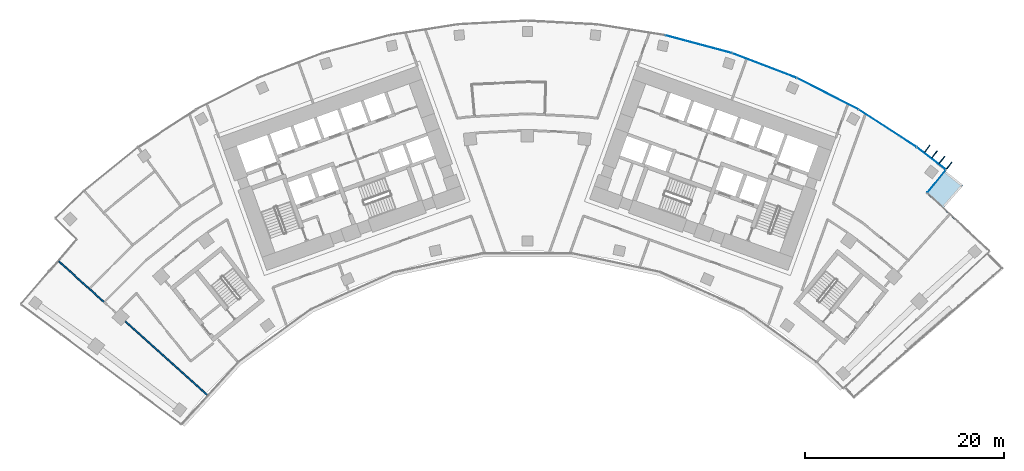
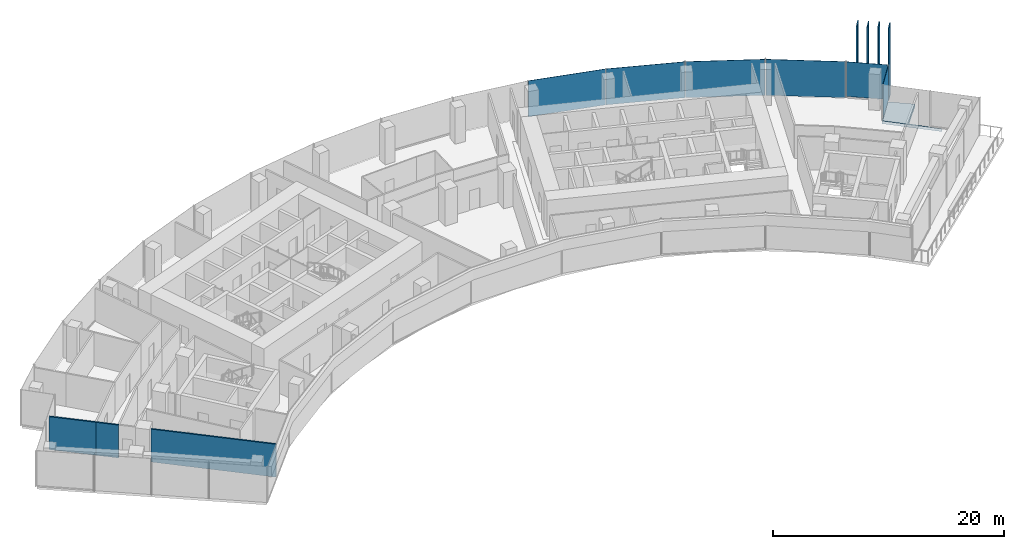
# One storey, part 12 of 20: 10 plates, 3 walls, 1 slab, 2 elements without a shape of their own.
"""IFC4 building model written with IfcOpenShell, lengths in metres."""

from ifc_helpers import new_model, si_unit, direction, frame, frame_2d, origin, origin_2d, place, context, subcontext, project, spatial, polyline, rectangle, outline, extrude, material, layer, layer_set, type_object, element, aggregate, save


model = new_model("IFC4")

# Units and contexts
model_context = context("Model", 3, precision=1e-05, world=origin(), true_north=direction((0.0, 1.0)))
body_context = subcontext(model_context, "Body", "Model", "MODEL_VIEW")
ifc_project = project(units=[si_unit("LENGTHUNIT", "METRE"), si_unit("AREAUNIT", "SQUARE_METRE"), si_unit("VOLUMEUNIT", "CUBIC_METRE"), si_unit("PLANEANGLEUNIT", "RADIAN"), si_unit("MASSUNIT", "GRAM", prefix="KILO")], contexts=[model_context])

# Site, building, storey
site_placement = place(None, origin())
site = spatial("IfcSite", under=ifc_project, at=site_placement, CompositionType="ELEMENT")
building_placement = place(site_placement, origin())
building = spatial("IfcBuilding", under=site, at=building_placement, Name="Stone Belt Terrace Tower", CompositionType="ELEMENT")
storey_placement = place(building_placement, frame((0.0, 0.0, 182.0)))
storey = spatial("IfcBuildingStorey", under=building, at=storey_placement, Name="L44", CompositionType="ELEMENT", Elevation=182.0)

# Curtain wall, plates
ifc_material_1 = material(Name="Aluminium 6063-T6 anodised frame", Category="aluminium")
ifc_layer_1 = layer(ifc_material_1, 0.14990234375)
ifc_layer_set_1 = layer_set([ifc_layer_1], Name="CW-A unitised convex-face curtain wall")
curtain_wall_type_1 = type_object("IfcCurtainWallType", Name="CW-A unitised convex-face curtain wall", PredefinedType="NOTDEFINED", material=ifc_layer_set_1)
curtain_wall_1_placement = place(storey_placement, origin())
curtain_wall_1 = element("IfcCurtainWall", 1, at=curtain_wall_1_placement, inside=storey, type_object=curtain_wall_type_1, Name="CW-A convex face L44", PredefinedType="NOTDEFINED")
ifc_material_2 = material(Name="Clear double glazed unit")
ifc_layer_2 = layer(ifc_material_2, 0.031982421875)
ifc_layer_set_2 = layer_set([ifc_layer_2], Name="CW-A glass panel 32")
plate_type_1 = type_object("IfcPlateType", Name="CW-A glass panel 32", PredefinedType="CURTAIN_PANEL", material=ifc_layer_set_2)
plate_1_placement = place(storey_placement, frame((40.583251953125, 52.744140625, 0.14013671875), z_axis=(0.0, 0.0, 1.0), x_axis=(-0.792693871824, 0.60961990254, 0.0)))
plate_1 = element("IfcPlate", 2, at=plate_1_placement, type_object=plate_type_1, Name="CW-A panel 1.1", PredefinedType="CURTAIN_PANEL", context=body_context, shape_type="SweptSolid", body=[
    extrude(rectangle(XDim=3.597900390625, YDim=0.031982421875, at=origin_2d()), origin(), (0.0, 0.0, 1.0), 3.659912109375),
])
plate_2_placement = place(storey_placement, frame((36.209716796875, 55.758056640625, 0.0), z_axis=(0.0, 0.0, 1.0), x_axis=(-0.838670567945, 0.544639035015, 0.0)))
plate_2 = element("IfcPlate", 3, at=plate_2_placement, type_object=plate_type_1, Name="CW-A panel 2.1", PredefinedType="CURTAIN_PANEL", context=body_context, shape_type="SweptSolid", body=[
    extrude(rectangle(XDim=6.900634765625, YDim=0.031982421875, at=origin_2d()), origin(), (0.0, 0.0, 1.0), 3.800048828125),
])
plate_3_placement = place(storey_placement, frame((30.18310546875, 59.237548828125, 0.0), z_axis=(0.0, 0.0, 1.0), x_axis=(-0.891006524188, 0.45399049974, 0.0)))
plate_3 = element("IfcPlate", 4, at=plate_3_placement, type_object=plate_type_1, Name="CW-A panel 3.1", PredefinedType="CURTAIN_PANEL", context=body_context, shape_type="SweptSolid", body=[
    extrude(rectangle(XDim=6.90087890625, YDim=0.031982421875, at=origin_2d()), origin(), (0.0, 0.0, 1.0), 3.800048828125),
])
plate_4_placement = place(storey_placement, frame((23.82568359375, 62.068115234375, 0.0), z_axis=(0.0, 0.0, 1.0), x_axis=(-0.933580426497, 0.358367949545, 0.0)))
plate_4 = element("IfcPlate", 5, at=plate_4_placement, type_object=plate_type_1, Name="CW-A panel 4.1", PredefinedType="CURTAIN_PANEL", context=body_context, shape_type="SweptSolid", body=[
    extrude(rectangle(XDim=6.90087890625, YDim=0.031982421875, at=origin_2d()), origin(), (0.0, 0.0, 1.0), 3.800048828125),
])
plate_5_placement = place(storey_placement, frame((17.207275390625, 64.218505859375, 0.0), z_axis=(0.0, 0.0, 1.0), x_axis=(-0.965925826289, 0.258819045103, 0.0)))
plate_5 = element("IfcPlate", 6, at=plate_5_placement, type_object=plate_type_1, Name="CW-A panel 5.1", PredefinedType="CURTAIN_PANEL", context=body_context, shape_type="SweptSolid", body=[
    extrude(rectangle(XDim=6.90087890625, YDim=0.031982421875, at=origin_2d()), origin(), (0.0, 0.0, 1.0), 3.800048828125),
])
aggregate(curtain_wall_1, [plate_1, plate_2, plate_3, plate_4, plate_5])

# Curtain wall, plate
ifc_layer_3 = layer(ifc_material_1, 0.14990234375)
ifc_layer_set_3 = layer_set([ifc_layer_3], Name="CW-C stick curtain wall, horn ends and notches")
curtain_wall_type_2 = type_object("IfcCurtainWallType", Name="CW-C stick curtain wall, horn ends and notches", PredefinedType="NOTDEFINED", material=ifc_layer_set_3)
curtain_wall_2_placement = place(storey_placement, origin())
curtain_wall_2 = element("IfcCurtainWall", 7, at=curtain_wall_2_placement, inside=storey, type_object=curtain_wall_type_2, Name="CW-C notch face L44", PredefinedType="NOTDEFINED")
ifc_layer_4 = layer(ifc_material_2, 0.028076171875)
ifc_layer_set_4 = layer_set([ifc_layer_4], Name="CW-C glass panel 28")
plate_type_2 = type_object("IfcPlateType", Name="CW-C glass panel 28", PredefinedType="CURTAIN_PANEL", material=ifc_layer_set_4)
plate_6_placement = place(storey_placement, frame((41.119140625, 50.43505859375, 0.1201171875), z_axis=(0.0, 0.0, 1.0), x_axis=(0.631001485542, 0.775781622136, 0.0)))
plate_6 = element("IfcPlate", 8, at=plate_6_placement, type_object=plate_type_2, Name="CW-C panel 1.1", PredefinedType="CURTAIN_PANEL", context=body_context, shape_type="SweptSolid", body=[
    extrude(rectangle(XDim=2.859130859375, YDim=0.028076171875, at=origin_2d()), origin(), (0.0, 0.0, 1.0), 3.679931640625),
])
aggregate(curtain_wall_2, [plate_6])

# Slab
ifc_material_3 = material(Name="Concrete B40", Category="concrete")
ifc_layer_5 = layer(ifc_material_3, 0.300048828125)
ifc_layer_set_5 = layer_set([ifc_layer_5], Name="Terrace slab 300 B40")
slab_type = type_object("IfcSlabType", Name="Terrace slab 300 B40", PredefinedType="FLOOR", material=ifc_layer_set_5)
slab_placement = place(storey_placement, frame((0.0, 0.0, -0.300048828125)))
element("IfcSlab", 9, at=slab_placement, inside=storey, type_object=slab_type, Name="Terrace slab L44-notch_roof-2", PredefinedType="FLOOR", context=body_context, shape_type="SweptSolid", body=[
    extrude(outline(polyline([(41.8330078125, 47.772705078125), (43.809326171875, 50.02978515625), (41.919921875, 51.538330078125), (40.068603515625, 49.26220703125), (43.97802734375, 45.6162109375), (43.980712890625, 45.618896484375), (41.8330078125, 47.772705078125)])), origin(), (0.0, 0.0, 1.0), 0.300048828125),
])

# Plates
ifc_material_4 = material(Name="Terracotta coloured glazed ceramic", Category="masonry")
ifc_layer_6 = layer(ifc_material_4, 0.10009765625)
ifc_layer_set_6 = layer_set([ifc_layer_6], Name="Terracotta fin 100 x 900")
plate_type_3 = type_object("IfcPlateType", Name="Terracotta fin 100 x 900", PredefinedType="SHEET", material=ifc_layer_set_6)
for number, where, z_axis, x_axis, name in (
    (10, (42.388427734375, 52.01806640625, 0.0), (0.0, 0.0, 1.0), (0.60961990254, 0.792693871824, 0.0), "FIN L44 1.1"),
    (11, (41.654052734375, 52.582763671875, 0.0), (0.0, 0.0, 1.0), (0.60961990254, 0.792693871824, 0.0), "FIN L44 1.2"),
    (12, (40.919677734375, 53.147705078125, 0.0), (0.0, 0.0, 1.0), (0.60961990254, 0.792693871824, 0.0), "FIN L44 1.3"),
    (13, (40.185546875, 53.71240234375, 0.0), (0.0, 0.0, 1.0), (0.60961990254, 0.792693871824, 0.0), "FIN L44 1.4"),
):
    element("IfcPlate", number, at=place(storey_placement, frame(where, z_axis=z_axis, x_axis=x_axis)), inside=storey, type_object=plate_type_3, Name=name, PredefinedType="SHEET", context=body_context, shape_type="SweptSolid", body=[
        extrude(rectangle(XDim=0.89990234375, YDim=0.10009765625, at=origin_2d()), origin(), (0.0, 0.0, 1.0), 7.60009765625),
    ])

# Walls
ifc_material_5 = material(Name="Gypsum board partition")
ifc_layer_7 = layer(ifc_material_5, 0.14990234375)
ifc_layer_set_7 = layer_set([ifc_layer_7], Name="PARTITION 150 EI 60")
wall_type = type_object("IfcWallType", Name="PARTITION 150 EI 60", PredefinedType="PARTITIONING", material=ifc_layer_set_7)
wall_1_placement = place(storey_placement, frame((-40.385986328125, 36.3642578125, 0.0), z_axis=(0.0, 0.0, 1.0), x_axis=(0.743128216334, -0.669149052221, 0.0)))
element("IfcWall", 14, at=wall_1_placement, inside=storey, type_object=wall_type, Name="L44/wall/i030", PredefinedType="PARTITIONING", context=body_context, shape_type="SweptSolid", body=[
    extrude(rectangle(XDim=11.048828125, YDim=0.14990234375, at=frame_2d((5.5244140625, 0.0))), origin(), (0.0, 0.0, 1.0), 3.47998046875),
])
wall_2_placement = place(storey_placement, frame((-44.032958984375, 39.64892578125, 0.0), z_axis=(0.0, 0.0, 1.0), x_axis=(0.742822489991, -0.669488422875, 0.0)))
element("IfcWall", 15, at=wall_2_placement, inside=storey, type_object=wall_type, Name="L44/wall/i031", PredefinedType="PARTITIONING", context=body_context, shape_type="SweptSolid", body=[
    extrude(rectangle(XDim=2.0341796875, YDim=0.14990234375, at=frame_2d((1.01708984375, 0.0))), origin(), (0.0, 0.0, 1.0), 3.47998046875),
])
wall_3_placement = place(storey_placement, frame((-47.09228515625, 42.40283203125, 0.0), z_axis=(0.0, 0.0, 1.0), x_axis=(0.743164720572, -0.669108509958, 0.0)))
element("IfcWall", 16, at=wall_3_placement, inside=storey, type_object=wall_type, Name="L44/wall/i032", PredefinedType="PARTITIONING", context=body_context, shape_type="SweptSolid", body=[
    extrude(rectangle(XDim=4.12744140625, YDim=0.14990234375, at=frame_2d((2.063720703125, 0.0))), origin(), (0.0, 0.0, 1.0), 3.47998046875),
])

save(model, "model.ifc")
